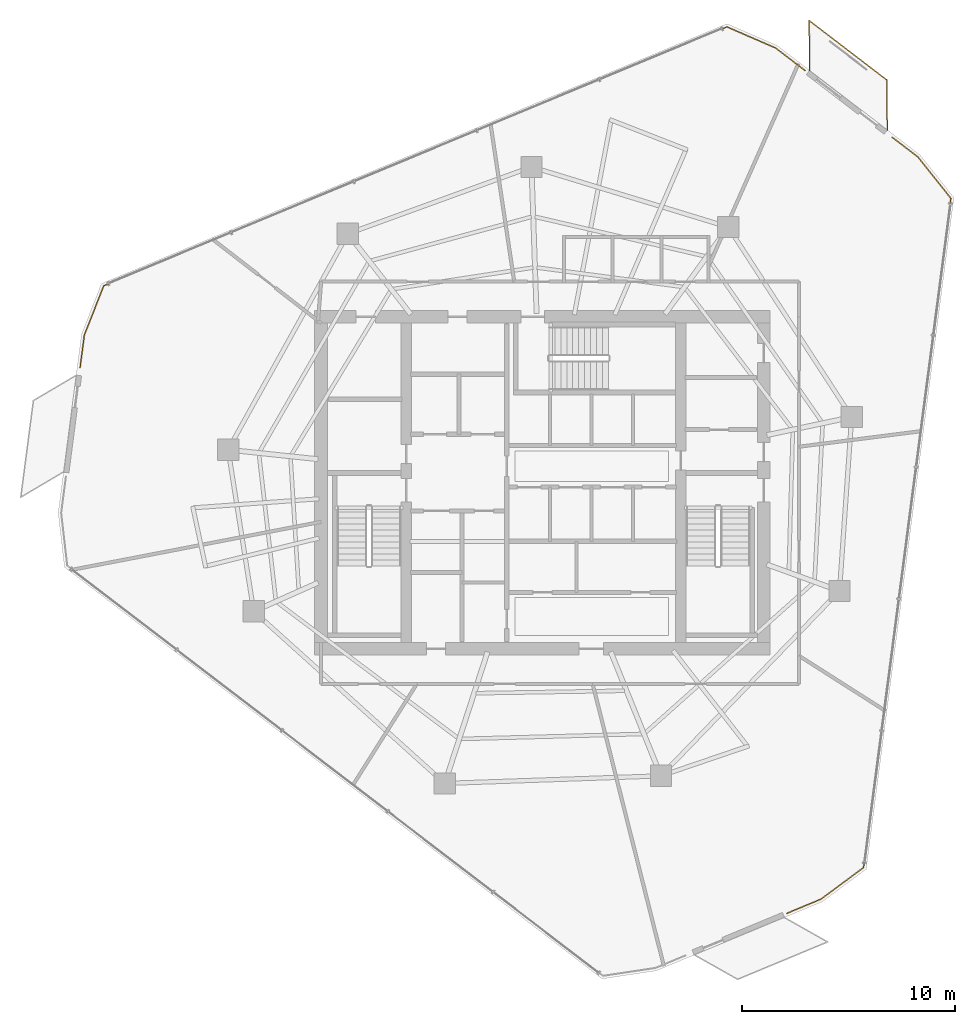
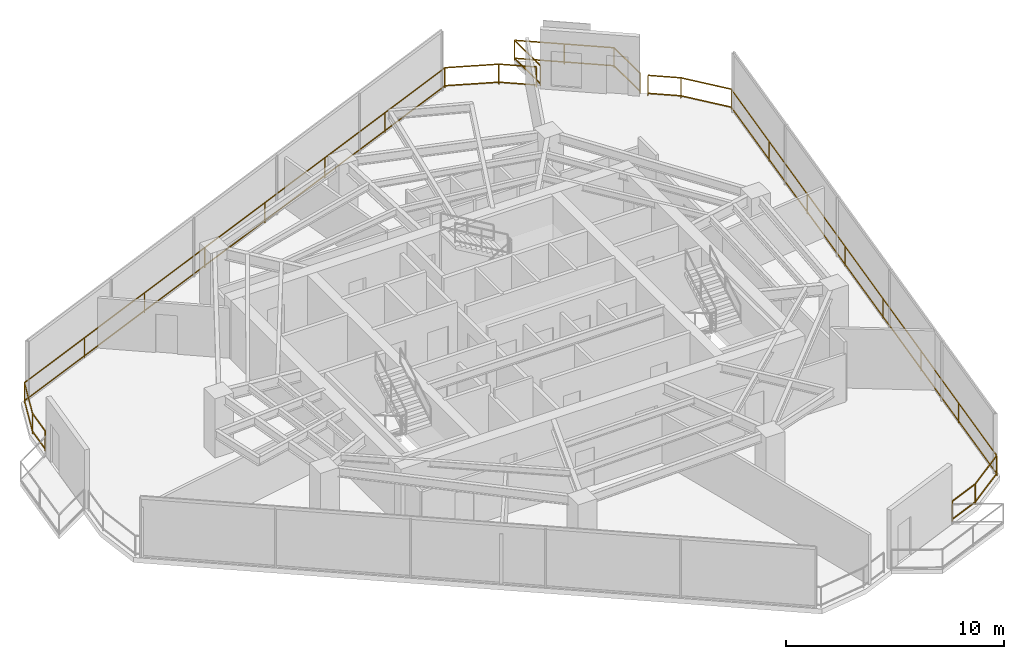
# One storey, part 20 of 20: 4 railings.
"""IFC4 building model written with IfcOpenShell, lengths in metres."""

from ifc_helpers import new_model, si_unit, direction, frame, origin, origin_2d, place, context, subcontext, project, spatial, rectangle, extrude, material, type_object, element, save


model = new_model("IFC4")

# Units and contexts
model_context = context("Model", 3, precision=1e-05, world=origin(), true_north=direction((0.0, 1.0)))
body_context = subcontext(model_context, "Body", "Model", "MODEL_VIEW")
ifc_project = project(units=[si_unit("LENGTHUNIT", "METRE"), si_unit("AREAUNIT", "SQUARE_METRE"), si_unit("VOLUMEUNIT", "CUBIC_METRE"), si_unit("PLANEANGLEUNIT", "RADIAN"), si_unit("MASSUNIT", "GRAM", prefix="KILO")], contexts=[model_context])

# Site, building, storey
site_placement = place(None, origin())
site = spatial("IfcSite", under=ifc_project, at=site_placement, CompositionType="ELEMENT")
building_placement = place(site_placement, origin())
building = spatial("IfcBuilding", under=site, at=building_placement, Name="Qarnah Convention Tower", CompositionType="ELEMENT")
storey_placement = place(building_placement, frame((0.0, 0.0, 150.89990234375)))
storey = spatial("IfcBuildingStorey", under=building, at=storey_placement, Name="L40", CompositionType="ELEMENT", Elevation=150.89990234375)

# Railings
ifc_material = material(Name="Black anodised aluminium", Category="aluminium")
railing_type = type_object("IfcRailingType", Name="RL-EXT-GUARD-1150", PredefinedType="GUARDRAIL", material=ifc_material)
railing_1_placement = place(storey_placement, frame((48.152099609375, 46.826904296875, 0.0)))
element("IfcRailing", 1, at=railing_1_placement, inside=storey, type_object=railing_type, Name="L40 slab-edge perimeter safety guard 01", PredefinedType="GUARDRAIL", context=body_context, shape_type="SweptSolid", body=[
    extrude(rectangle(XDim=0.048095703125, YDim=0.048095703125, at=origin_2d()), frame((0.0, 0.0, 1.1259765625), z_axis=(0.794082002597, -0.607810639222, 0.0), x_axis=(0.607810639222, 0.794082002597, 0.0)), (0.0, 0.0, 1.0), 1.734130859375),
    extrude(rectangle(XDim=0.048095703125, YDim=0.048095703125, at=origin_2d()), frame((0.0, 0.0, 0.1201171875), z_axis=(0.794082002597, -0.607810639222, 0.0), x_axis=(0.607810639222, 0.794082002597, 0.0)), (0.0, 0.0, 1.0), 1.734130859375),
    extrude(rectangle(XDim=0.0419921875, YDim=0.0419921875, at=origin_2d()), origin(), (0.0, 0.0, 1.0), 1.101806640625),
    extrude(rectangle(XDim=0.0419921875, YDim=0.0419921875, at=origin_2d()), frame((1.376953125, -1.053955078125, 0.0)), (0.0, 0.0, 1.0), 1.101806640625),
])
railing_2_placement = place(storey_placement, frame((53.625, 42.635986328125, 0.0)))
element("IfcRailing", 2, at=railing_2_placement, inside=storey, type_object=railing_type, Name="L40 slab-edge perimeter safety guard 02", PredefinedType="GUARDRAIL", context=body_context, shape_type="SweptSolid", body=[
    extrude(rectangle(XDim=0.048095703125, YDim=0.048095703125, at=origin_2d()), frame((0.0, 0.0, 1.1259765625), z_axis=(0.794044189324, -0.607860037674, 0.0), x_axis=(0.607860037674, 0.794044189324, 0.0)), (0.0, 0.0, 1.0), 1.525146484375),
    extrude(rectangle(XDim=0.048095703125, YDim=0.048095703125, at=origin_2d()), frame((0.0, 0.0, 0.1201171875), z_axis=(0.794044189324, -0.607860037674, 0.0), x_axis=(0.607860037674, 0.794044189324, 0.0)), (0.0, 0.0, 1.0), 1.525146484375),
    extrude(rectangle(XDim=0.048095703125, YDim=0.048095703125, at=origin_2d()), frame((1.2109375, -0.927001953125, 1.1259765625), z_axis=(0.623079040446, -0.782158877311, 0.0), x_axis=(0.782158877311, 0.623079040446, 0.0)), (0.0, 0.0, 1.0), 2.4892578125),
    extrude(rectangle(XDim=0.048095703125, YDim=0.048095703125, at=origin_2d()), frame((1.2109375, -0.927001953125, 0.1201171875), z_axis=(0.623079040446, -0.782158877311, 0.0), x_axis=(0.782158877311, 0.623079040446, 0.0)), (0.0, 0.0, 1.0), 2.4892578125),
    extrude(rectangle(XDim=0.048095703125, YDim=0.048095703125, at=origin_2d()), frame((2.761962890625, -2.8740234375, 1.1259765625), z_axis=(-0.129466904788, -0.991583743596, 0.0), x_axis=(0.991583743596, -0.129466904788, 0.0)), (0.0, 0.0, 1.0), 31.706787109375),
    extrude(rectangle(XDim=0.048095703125, YDim=0.048095703125, at=origin_2d()), frame((2.761962890625, -2.8740234375, 0.1201171875), z_axis=(-0.129466904788, -0.991583743596, 0.0), x_axis=(0.991583743596, -0.129466904788, 0.0)), (0.0, 0.0, 1.0), 31.706787109375),
    extrude(rectangle(XDim=0.048095703125, YDim=0.048095703125, at=origin_2d()), frame((-1.343017578125, -34.31396484375, 1.1259765625), z_axis=(-0.803282652647, -0.595598001975, 0.0), x_axis=(0.595598001975, -0.803282652647, 0.0)), (0.0, 0.0, 1.0), 2.48974609375),
    extrude(rectangle(XDim=0.048095703125, YDim=0.048095703125, at=origin_2d()), frame((-1.343017578125, -34.31396484375, 0.1201171875), z_axis=(-0.803282652647, -0.595598001975, 0.0), x_axis=(0.595598001975, -0.803282652647, 0.0)), (0.0, 0.0, 1.0), 2.48974609375),
    extrude(rectangle(XDim=0.048095703125, YDim=0.048095703125, at=origin_2d()), frame((-3.343017578125, -35.796875, 1.1259765625), z_axis=(-0.923384705506, -0.383875872694, 0.0), x_axis=(0.383875872694, -0.923384705506, 0.0)), (0.0, 0.0, 1.0), 1.73486328125),
    extrude(rectangle(XDim=0.048095703125, YDim=0.048095703125, at=origin_2d()), frame((-3.343017578125, -35.796875, 0.1201171875), z_axis=(-0.923384705506, -0.383875872694, 0.0), x_axis=(0.383875872694, -0.923384705506, 0.0)), (0.0, 0.0, 1.0), 1.73486328125),
    extrude(rectangle(XDim=0.0419921875, YDim=0.0419921875, at=origin_2d()), origin(), (0.0, 0.0, 1.0), 1.101806640625),
    extrude(rectangle(XDim=0.0419921875, YDim=0.0419921875, at=origin_2d()), frame((1.2109375, -0.927001953125, 0.0)), (0.0, 0.0, 1.0), 1.101806640625),
    extrude(rectangle(XDim=0.0419921875, YDim=0.0419921875, at=origin_2d()), frame((2.761962890625, -2.8740234375, 0.0)), (0.0, 0.0, 1.0), 1.101806640625),
    extrude(rectangle(XDim=0.0419921875, YDim=0.0419921875, at=origin_2d()), frame((2.175537109375, -7.365478515625, 0.0)), (0.0, 0.0, 1.0), 1.101806640625),
    extrude(rectangle(XDim=0.0419921875, YDim=0.0419921875, at=origin_2d()), frame((1.589111328125, -11.85693359375, 0.0)), (0.0, 0.0, 1.0), 1.101806640625),
    extrude(rectangle(XDim=0.0419921875, YDim=0.0419921875, at=origin_2d()), frame((1.002685546875, -16.348388671875, 0.0)), (0.0, 0.0, 1.0), 1.101806640625),
    extrude(rectangle(XDim=0.0419921875, YDim=0.0419921875, at=origin_2d()), frame((0.416259765625, -20.839599609375, 0.0)), (0.0, 0.0, 1.0), 1.101806640625),
    extrude(rectangle(XDim=0.0419921875, YDim=0.0419921875, at=origin_2d()), frame((-0.170166015625, -25.3310546875, 0.0)), (0.0, 0.0, 1.0), 1.101806640625),
    extrude(rectangle(XDim=0.0419921875, YDim=0.0419921875, at=origin_2d()), frame((-0.756591796875, -29.822509765625, 0.0)), (0.0, 0.0, 1.0), 1.101806640625),
    extrude(rectangle(XDim=0.0419921875, YDim=0.0419921875, at=origin_2d()), frame((-1.343017578125, -34.31396484375, 0.0)), (0.0, 0.0, 1.0), 1.101806640625),
    extrude(rectangle(XDim=0.0419921875, YDim=0.0419921875, at=origin_2d()), frame((-3.343017578125, -35.796875, 0.0)), (0.0, 0.0, 1.0), 1.101806640625),
    extrude(rectangle(XDim=0.0419921875, YDim=0.0419921875, at=origin_2d()), frame((-4.945068359375, -36.462890625, 0.0)), (0.0, 0.0, 1.0), 1.101806640625),
])
railing_3_placement = place(storey_placement, frame((15.47802734375, 31.823974609375, 0.0)))
element("IfcRailing", 3, at=railing_3_placement, inside=storey, type_object=railing_type, Name="L40 slab-edge perimeter safety guard 04", PredefinedType="GUARDRAIL", context=body_context, shape_type="SweptSolid", body=[
    extrude(rectangle(XDim=0.048095703125, YDim=0.048095703125, at=origin_2d()), frame((0.0, 0.0, 1.1259765625), z_axis=(0.129845672391, 0.991534215931, 0.0), x_axis=(-0.991534215931, 0.129845672391, 0.0)), (0.0, 0.0, 1.0), 1.52490234375),
    extrude(rectangle(XDim=0.048095703125, YDim=0.048095703125, at=origin_2d()), frame((0.0, 0.0, 0.1201171875), z_axis=(0.129845672391, 0.991534215931, 0.0), x_axis=(-0.991534215931, 0.129845672391, 0.0)), (0.0, 0.0, 1.0), 1.52490234375),
    extrude(rectangle(XDim=0.048095703125, YDim=0.048095703125, at=origin_2d()), frame((0.197998046875, 1.511962890625, 1.1259765625), z_axis=(0.365382404331, 0.930857507143, 0.0), x_axis=(-0.930857507143, 0.365382404331, 0.0)), (0.0, 0.0, 1.0), 2.490234375),
    extrude(rectangle(XDim=0.048095703125, YDim=0.048095703125, at=origin_2d()), frame((0.197998046875, 1.511962890625, 0.1201171875), z_axis=(0.365382404331, 0.930857507143, 0.0), x_axis=(-0.930857507143, 0.365382404331, 0.0)), (0.0, 0.0, 1.0), 2.490234375),
    extrude(rectangle(XDim=0.048095703125, YDim=0.048095703125, at=origin_2d()), frame((1.10791015625, 3.830078125, 1.1259765625), z_axis=(0.9234834966, 0.383638151787, 0.0), x_axis=(-0.383638151787, 0.9234834966, 0.0)), (0.0, 0.0, 1.0), 31.70703125),
    extrude(rectangle(XDim=0.048095703125, YDim=0.048095703125, at=origin_2d()), frame((1.10791015625, 3.830078125, 0.1201171875), z_axis=(0.9234834966, 0.383638151787, 0.0), x_axis=(-0.383638151787, 0.9234834966, 0.0)), (0.0, 0.0, 1.0), 31.70703125),
    extrude(rectangle(XDim=0.048095703125, YDim=0.048095703125, at=origin_2d()), frame((30.388916015625, 15.994140625, 1.1259765625), z_axis=(0.917412533116, -0.397937487655, 0.0), x_axis=(0.397937487655, 0.917412533116, 0.0)), (0.0, 0.0, 1.0), 2.490966796875),
    extrude(rectangle(XDim=0.048095703125, YDim=0.048095703125, at=origin_2d()), frame((30.388916015625, 15.994140625, 0.1201171875), z_axis=(0.917412533116, -0.397937487655, 0.0), x_axis=(0.397937487655, 0.917412533116, 0.0)), (0.0, 0.0, 1.0), 2.490966796875),
    extrude(rectangle(XDim=0.0419921875, YDim=0.0419921875, at=origin_2d()), origin(), (0.0, 0.0, 1.0), 1.101806640625),
    extrude(rectangle(XDim=0.0419921875, YDim=0.0419921875, at=origin_2d()), frame((0.197998046875, 1.511962890625, 0.0)), (0.0, 0.0, 1.0), 1.101806640625),
    extrude(rectangle(XDim=0.0419921875, YDim=0.0419921875, at=origin_2d()), frame((1.10791015625, 3.830078125, 0.0)), (0.0, 0.0, 1.0), 1.101806640625),
    extrude(rectangle(XDim=0.0419921875, YDim=0.0419921875, at=origin_2d()), frame((5.291015625, 5.56787109375, 0.0)), (0.0, 0.0, 1.0), 1.101806640625),
    extrude(rectangle(XDim=0.0419921875, YDim=0.0419921875, at=origin_2d()), frame((9.473876953125, 7.305419921875, 0.0)), (0.0, 0.0, 1.0), 1.101806640625),
    extrude(rectangle(XDim=0.0419921875, YDim=0.0419921875, at=origin_2d()), frame((13.656982421875, 9.043212890625, 0.0)), (0.0, 0.0, 1.0), 1.101806640625),
    extrude(rectangle(XDim=0.0419921875, YDim=0.0419921875, at=origin_2d()), frame((17.83984375, 10.781005859375, 0.0)), (0.0, 0.0, 1.0), 1.101806640625),
    extrude(rectangle(XDim=0.0419921875, YDim=0.0419921875, at=origin_2d()), frame((22.02294921875, 12.518798828125, 0.0)), (0.0, 0.0, 1.0), 1.101806640625),
    extrude(rectangle(XDim=0.0419921875, YDim=0.0419921875, at=origin_2d()), frame((26.205810546875, 14.25634765625, 0.0)), (0.0, 0.0, 1.0), 1.101806640625),
    extrude(rectangle(XDim=0.0419921875, YDim=0.0419921875, at=origin_2d()), frame((30.388916015625, 15.994140625, 0.0)), (0.0, 0.0, 1.0), 1.101806640625),
    extrude(rectangle(XDim=0.0419921875, YDim=0.0419921875, at=origin_2d()), frame((32.674072265625, 15.0029296875, 0.0)), (0.0, 0.0, 1.0), 1.101806640625),
])
railing_4_placement = place(storey_placement, frame((49.7490234375, 45.77392578125, 0.0)))
element("IfcRailing", 4, at=railing_4_placement, inside=storey, type_object=railing_type, Name="L40 balcony safety guard BAL-L40-C1", PredefinedType="GUARDRAIL", context=body_context, shape_type="SweptSolid", body=[
    extrude(rectangle(XDim=0.048095703125, YDim=0.048095703125, at=origin_2d()), frame((0.0, 0.0, 1.1259765625), z_axis=(-0.009776940631, 0.999952204574, 0.0), x_axis=(-0.999952204574, -0.009776940631, 0.0)), (0.0, 0.0, 1.0), 2.34716796875),
    extrude(rectangle(XDim=0.048095703125, YDim=0.048095703125, at=origin_2d()), frame((0.0, 0.0, 0.1201171875), z_axis=(-0.009776940631, 0.999952204574, 0.0), x_axis=(-0.999952204574, -0.009776940631, 0.0)), (0.0, 0.0, 1.0), 2.34716796875),
    extrude(rectangle(XDim=0.048095703125, YDim=0.048095703125, at=origin_2d()), frame((-0.02294921875, 2.34716796875, 1.1259765625), z_axis=(0.794063989785, -0.607834171569, 0.0), x_axis=(0.607834171569, 0.794063989785, 0.0)), (0.0, 0.0, 1.0), 4.60009765625),
    extrude(rectangle(XDim=0.048095703125, YDim=0.048095703125, at=origin_2d()), frame((-0.02294921875, 2.34716796875, 0.1201171875), z_axis=(0.794063989785, -0.607834171569, 0.0), x_axis=(0.607834171569, 0.794063989785, 0.0)), (0.0, 0.0, 1.0), 4.60009765625),
    extrude(rectangle(XDim=0.048095703125, YDim=0.048095703125, at=origin_2d()), frame((3.6298828125, -0.448974609375, 1.1259765625), z_axis=(0.009877858502, -0.999951212766, 0.0), x_axis=(0.999951212766, 0.009877858502, 0.0)), (0.0, 0.0, 1.0), 2.347900390625),
    extrude(rectangle(XDim=0.048095703125, YDim=0.048095703125, at=origin_2d()), frame((3.6298828125, -0.448974609375, 0.1201171875), z_axis=(0.009877858502, -0.999951212766, 0.0), x_axis=(0.999951212766, 0.009877858502, 0.0)), (0.0, 0.0, 1.0), 2.347900390625),
    extrude(rectangle(XDim=0.0419921875, YDim=0.0419921875, at=origin_2d()), origin(), (0.0, 0.0, 1.0), 1.101806640625),
    extrude(rectangle(XDim=0.0419921875, YDim=0.0419921875, at=origin_2d()), frame((-0.02294921875, 2.34716796875, 0.0)), (0.0, 0.0, 1.0), 1.101806640625),
    extrude(rectangle(XDim=0.0419921875, YDim=0.0419921875, at=origin_2d()), frame((1.803466796875, 0.94921875, 0.0)), (0.0, 0.0, 1.0), 1.101806640625),
    extrude(rectangle(XDim=0.0419921875, YDim=0.0419921875, at=origin_2d()), frame((3.6298828125, -0.448974609375, 0.0)), (0.0, 0.0, 1.0), 1.101806640625),
    extrude(rectangle(XDim=0.0419921875, YDim=0.0419921875, at=origin_2d()), frame((3.653076171875, -2.796875, 0.0)), (0.0, 0.0, 1.0), 1.101806640625),
])

save(model, "model.ifc")
